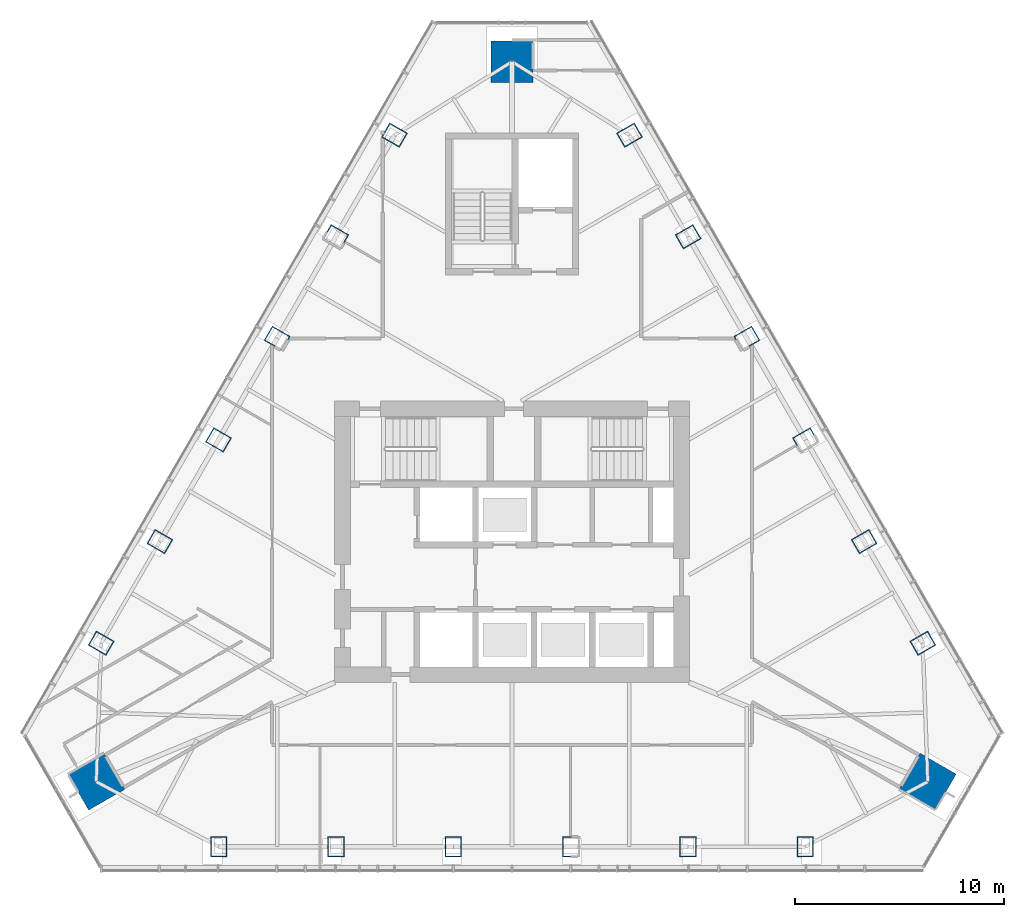
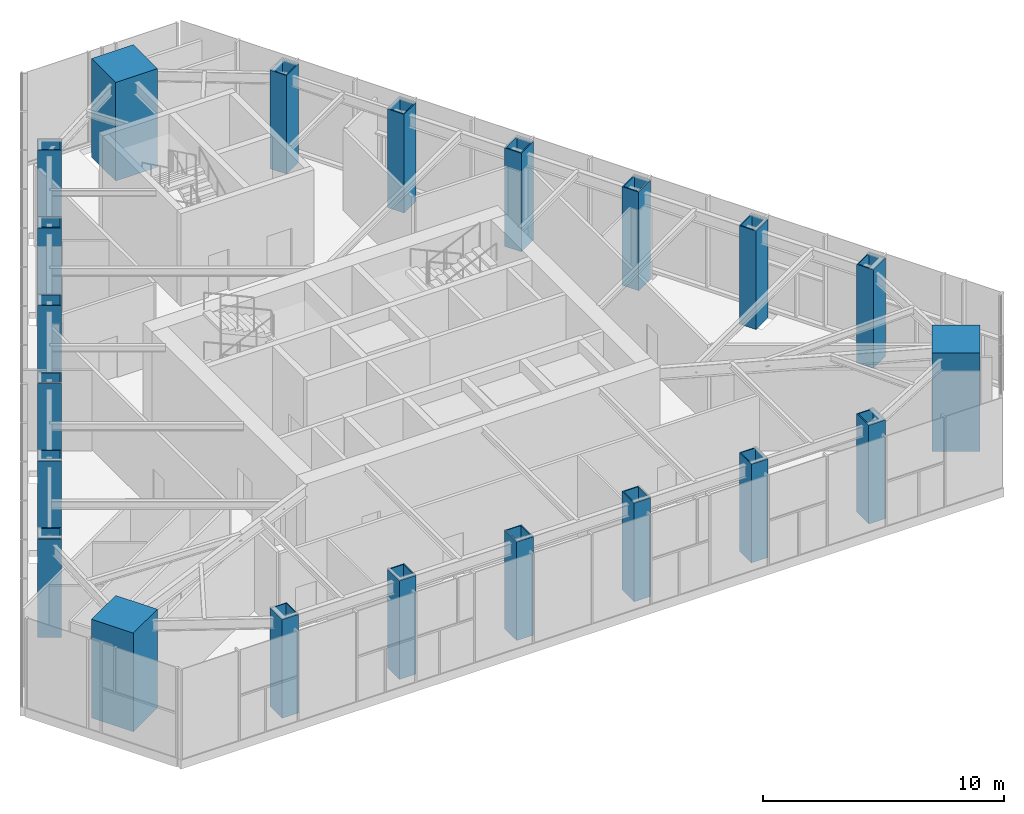
# One storey, part 1 of 17: 21 columns.
"""IFC4 building model written with IfcOpenShell, lengths in metres."""

from ifc_helpers import new_model, si_unit, direction, frame, origin, origin_2d, place, context, subcontext, project, spatial, rectangle, hollow_rectangle, extrude, material, material_profile, profile_set, type_object, element, save


model = new_model("IFC4")

# Units and contexts
model_context = context("Model", 3, precision=1e-05, world=origin(), true_north=direction((0.0, 1.0)))
body_context = subcontext(model_context, "Body", "Model", "MODEL_VIEW")
ifc_project = project(units=[si_unit("LENGTHUNIT", "METRE"), si_unit("AREAUNIT", "SQUARE_METRE"), si_unit("VOLUMEUNIT", "CUBIC_METRE"), si_unit("PLANEANGLEUNIT", "RADIAN"), si_unit("MASSUNIT", "GRAM", prefix="KILO")], contexts=[model_context])

# Site, building, storey
site_placement = place(None, origin())
site = spatial("IfcSite", under=ifc_project, at=site_placement, CompositionType="ELEMENT")
building_placement = place(site_placement, origin())
building = spatial("IfcBuilding", under=site, at=building_placement, Name="Firuza Gate Tower and Library", CompositionType="ELEMENT")
storey_placement = place(building_placement, frame((0.0, 0.0, 326.60009765625)))
storey = spatial("IfcBuildingStorey", under=building, at=storey_placement, Name="L80", CompositionType="ELEMENT", Elevation=326.60009765625)

# Columns
ifc_material_1 = material(Name="Steel S355", Category="steel")
ifc_material_profile_1 = material_profile(ifc_material_1, hollow_rectangle(XDim=0.800048828125, YDim=1.0, WallThickness=0.050048828125, at=origin_2d()))
ifc_profile_set_1 = profile_set([ifc_material_profile_1], Name="Steel S355")
column_type_1 = type_object("IfcColumnType", Name="BU1000x800x50 Composite box column", PredefinedType="COLUMN", material=ifc_profile_set_1)
for number, where, z_axis, x_axis, name in (
    (1, (60.933349609375, 60.373046875, -0.00048828125), (0.0, 0.0, 1.0), (1.0, 0.0, 0.0), "Column S1 L80"),
    (2, (66.56005859375, 60.373046875, -0.00048828125), (0.0, 0.0, 1.0), (1.0, 0.0, 0.0), "Column S2 L80"),
    (3, (72.186767578125, 60.373046875, -0.00048828125), (0.0, 0.0, 1.0), (1.0, 0.0, 0.0), "Column S3 L80"),
    (4, (77.813232421875, 60.373046875, -0.00048828125), (0.0, 0.0, 1.0), (1.0, 0.0, 0.0), "Column S4 L80"),
    (5, (83.43994140625, 60.373046875, -0.00048828125), (0.0, 0.0, 1.0), (1.0, 0.0, 0.0), "Column S5 L80"),
    (6, (89.066650390625, 60.373046875, -0.00048828125), (0.0, 0.0, 1.0), (1.0, 0.0, 0.0), "Column S6 L80"),
    (7, (94.70068359375, 70.13134765625, -0.00048828125), (0.0, 0.0, 1.0), (-0.5, 0.866025403784, 0.0), "Column E1 L80"),
    (8, (91.88720703125, 75.004150390625, -0.00048828125), (0.0, 0.0, 1.0), (-0.5, 0.866025403784, 0.0), "Column E2 L80"),
    (9, (89.073974609375, 79.876953125, -0.00048828125), (0.0, 0.0, 1.0), (-0.5, 0.866025403784, 0.0), "Column E3 L80"),
    (10, (86.260498046875, 84.749755859375, -0.00048828125), (0.0, 0.0, 1.0), (-0.5, 0.866025403784, 0.0), "Column E4 L80"),
    (11, (83.447265625, 89.622802734375, -0.00048828125), (0.0, 0.0, 1.0), (-0.5, 0.866025403784, 0.0), "Column E5 L80"),
    (12, (80.6337890625, 94.49560546875, -0.00048828125), (0.0, 0.0, 1.0), (-0.5, 0.866025403784, 0.0), "Column E6 L80"),
    (13, (69.3662109375, 94.49560546875, -0.00048828125), (0.0, 0.0, 1.0), (-0.5, -0.866025403784, 0.0), "Column W1 L80"),
    (14, (66.552734375, 89.622802734375, -0.00048828125), (0.0, 0.0, 1.0), (-0.5, -0.866025403784, 0.0), "Column W2 L80"),
    (15, (63.739501953125, 84.749755859375, -0.00048828125), (0.0, 0.0, 1.0), (-0.5, -0.866025403784, 0.0), "Column W3 L80"),
    (16, (60.926025390625, 79.876953125, -0.00048828125), (0.0, 0.0, 1.0), (-0.5, -0.866025403784, 0.0), "Column W4 L80"),
    (17, (58.11279296875, 75.004150390625, -0.00048828125), (0.0, 0.0, 1.0), (-0.5, -0.866025403784, 0.0), "Column W5 L80"),
    (18, (55.29931640625, 70.13134765625, -0.00048828125), (0.0, 0.0, 1.0), (-0.5, -0.866025403784, 0.0), "Column W6 L80"),
):
    element("IfcColumn", number, at=place(storey_placement, frame(where, z_axis=z_axis, x_axis=x_axis)), inside=storey, type_object=column_type_1, Name=name, PredefinedType="COLUMN", context=body_context, shape_type="SweptSolid", body=[
        extrude(hollow_rectangle(XDim=0.800048828125, YDim=1.0, WallThickness=0.050048828125, at=origin_2d()), origin(), (0.0, 0.0, 1.0), 5.00048828125),
    ])
ifc_material_2 = material(Name="Concrete C80/95", Category="concrete")
ifc_material_profile_2 = material_profile(ifc_material_2, rectangle(XDim=2.0, YDim=2.0, at=origin_2d()))
ifc_profile_set_2 = profile_set([ifc_material_profile_2], Name="Concrete C80/95")
column_type_2 = type_object("IfcColumnType", Name="Mega column 2000x2000 C80/95", PredefinedType="COLUMN", material=ifc_profile_set_2)
for number, where, z_axis, x_axis, name in (
    (19, (94.9345703125, 63.49072265625, 0.0), (0.0, 0.0, 1.0), (0.5, 0.866025403784, 0.0), "Mega column SE L80"),
    (20, (75.0, 98.018310546875, 0.0), (0.0, 0.0, 1.0), (-1.0, 0.0, 0.0), "Mega column N L80"),
    (21, (55.0654296875, 63.49072265625, 0.0), (0.0, 0.0, 1.0), (0.5, -0.866025403784, 0.0), "Mega column SW L80"),
):
    element("IfcColumn", number, at=place(storey_placement, frame(where, z_axis=z_axis, x_axis=x_axis)), inside=storey, type_object=column_type_2, Name=name, PredefinedType="COLUMN", context=body_context, shape_type="SweptSolid", body=[
        extrude(rectangle(XDim=2.0, YDim=2.0, at=origin_2d()), origin(), (0.0, 0.0, 1.0), 5.0),
    ])

save(model, "model.ifc")
